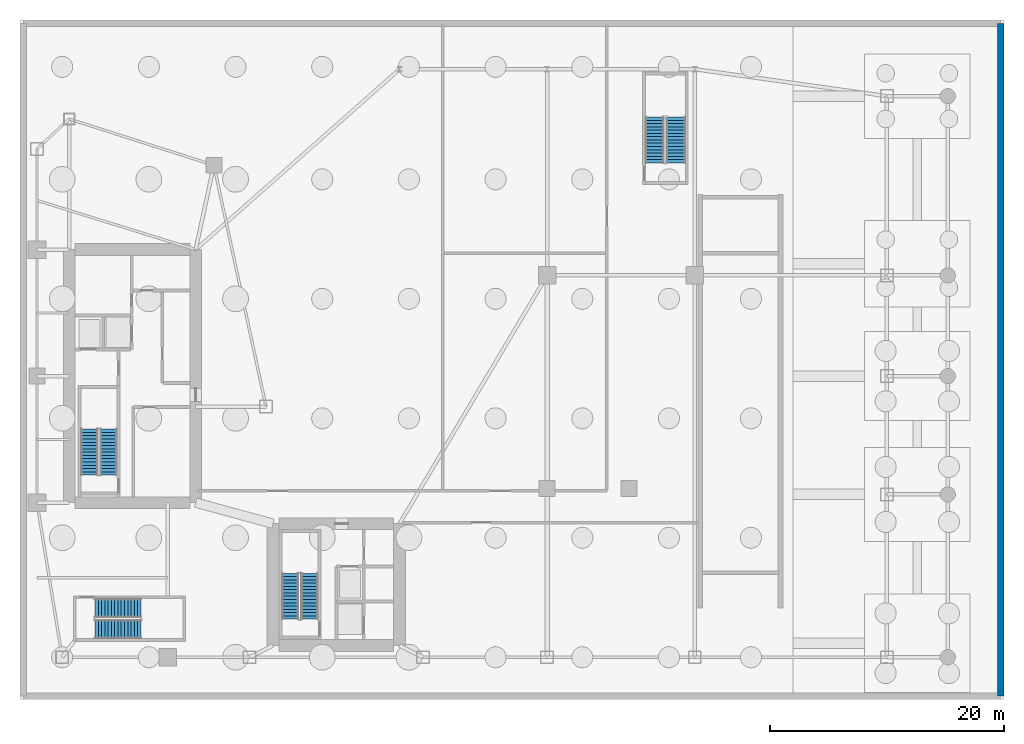
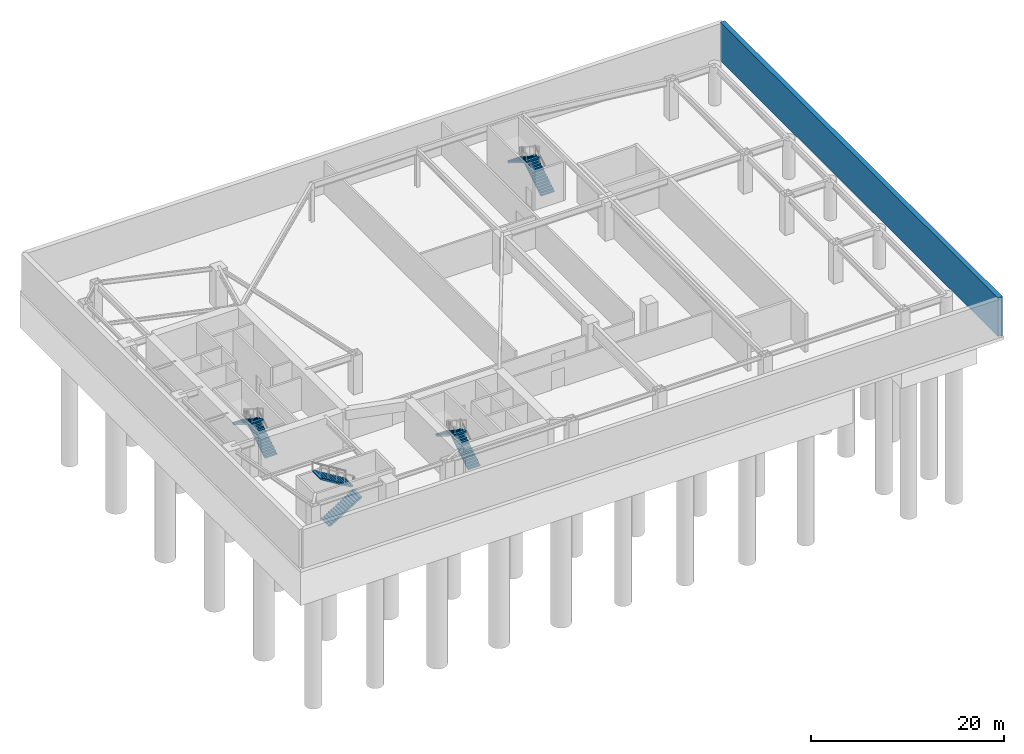
# One storey, part 9 of 12: 8 stair flights, 1 wall, 4 elements without a shape of their own.
"""IFC4 building model written with IfcOpenShell, lengths in metres."""

from ifc_helpers import new_model, si_unit, direction, frame, frame_2d, origin, place, context, subcontext, project, spatial, polyline, rectangle, outline, extrude, material, layer, layer_set, type_object, element, aggregate, save


model = new_model("IFC4")

# Units and contexts
model_context = context("Model", 3, precision=1e-05, world=origin(), true_north=direction((0.0, 1.0)))
body_context = subcontext(model_context, "Body", "Model", "MODEL_VIEW")
ifc_project = project(units=[si_unit("LENGTHUNIT", "METRE"), si_unit("AREAUNIT", "SQUARE_METRE"), si_unit("VOLUMEUNIT", "CUBIC_METRE"), si_unit("PLANEANGLEUNIT", "RADIAN"), si_unit("MASSUNIT", "GRAM", prefix="KILO")], contexts=[model_context])

# Site, building, storey
site_placement = place(None, origin())
site = spatial("IfcSite", under=ifc_project, at=site_placement, CompositionType="ELEMENT")
building_placement = place(site_placement, origin())
building = spatial("IfcBuilding", under=site, at=building_placement, Name="Calvorn Quay Hotel", CompositionType="ELEMENT")
storey_placement = place(building_placement, frame((0.0, 0.0, -10.39990234375)))
storey = spatial("IfcBuildingStorey", under=building, at=storey_placement, Name="B2", CompositionType="ELEMENT", Elevation=-10.39990234375)

# Wall
ifc_material_1 = material(Name="Concrete C45", Category="concrete")
ifc_layer = layer(ifc_material_1, 0.550048828125)
ifc_layer_set = layer_set([ifc_layer], Name="WL-BSM-RET-550")
wall_type = type_object("IfcWallType", Name="WL-BSM-RET-550", PredefinedType="USERDEFINED", material=ifc_layer_set)
wall_placement = place(storey_placement, frame((83.719970703125, 0.280029296875, 0.0), z_axis=(0.0, 0.0, 1.0), x_axis=(0.0, 1.0, 0.0)))
element("IfcWall", 1, at=wall_placement, inside=storey, type_object=wall_type, Name="B2 Retaining Wall E", ObjectType="RETAINING", PredefinedType="USERDEFINED", context=body_context, shape_type="SweptSolid", body=[
    extrude(rectangle(XDim=57.43994140625, YDim=0.550048828125, at=frame_2d((28.719970703125, 0.0))), origin(), (0.0, 0.0, 1.0), 4.8798828125),
])

# Stair, stair flights
ifc_material_2 = material(Name="Concrete C40", Category="concrete")
stair_type_1 = type_object("IfcStairType", Name="STR-CORE-DOGLEG", PredefinedType="HALF_TURN_STAIR", material=ifc_material_2)
stair_1_placement = place(storey_placement, origin())
stair_1 = element("IfcStair", 2, at=stair_1_placement, inside=storey, type_object=stair_type_1, Name="B2 ST-W", PredefinedType="HALF_TURN_STAIR")
ifc_material_3 = material(Name="Concrete C40", Category="concrete")
stair_flight_type_1 = type_object("IfcStairFlightType", Name="FLT-CORE-1550", PredefinedType="STRAIGHT", material=ifc_material_3)
stair_flight_1_placement = place(storey_placement, frame((7.574951171875, 19.14990234375, 0.0), z_axis=(0.0, 0.0, 1.0), x_axis=(0.0, 1.0, 0.0)))
stair_flight_1 = element("IfcStairFlight", 3, at=stair_flight_1_placement, type_object=stair_flight_type_1, Name="ST-W flight 1", NumberOfRisers=15, NumberOfTreads=14, PredefinedType="STRAIGHT", RiserHeight=0.173333333, TreadLength=0.28, context=body_context, shape_type="SweptSolid", body=[
    extrude(outline(polyline([(0.0, 0.0), (0.0, 0.17333984375), (0.280029296875, 0.17333984375), (0.280029296875, 0.3466796875), (0.56005859375, 0.3466796875), (0.56005859375, 0.52001953125), (0.840087890625, 0.52001953125), (0.840087890625, 0.693359375), (1.1201171875, 0.693359375), (1.1201171875, 0.86669921875), (1.39990234375, 0.86669921875), (1.39990234375, 1.0400390625), (1.679931640625, 1.0400390625), (1.679931640625, 1.21337890625), (1.9599609375, 1.21337890625), (1.9599609375, 1.38671875), (2.239990234375, 1.38671875), (2.239990234375, 1.56005859375), (2.52001953125, 1.56005859375), (2.52001953125, 1.7333984375), (2.800048828125, 1.7333984375), (2.800048828125, 1.90673828125), (3.080078125, 1.90673828125), (3.080078125, 2.080078125), (3.360107421875, 2.080078125), (3.360107421875, 2.25341796875), (3.639892578125, 2.25341796875), (3.639892578125, 2.4267578125), (3.919921875, 2.4267578125), (3.919921875, 2.60009765625), (3.919921875, 2.250244140625), (0.284912109375, 0.0), (0.0, 0.0)])), frame((0.0, 0.72509765625, 0.0), z_axis=(0.0, -1.0, 0.0), x_axis=(1.0, 0.0, 0.0)), (0.0, 0.0, 1.0), 1.449951171875),
])
stair_flight_2_placement = place(storey_placement, frame((5.925048828125, 23.070068359375, 2.599853515625), z_axis=(0.0, 0.0, 1.0), x_axis=(0.0, -1.0, 0.0)))
stair_flight_2 = element("IfcStairFlight", 4, at=stair_flight_2_placement, type_object=stair_flight_type_1, Name="ST-W flight 2", NumberOfRisers=15, NumberOfTreads=14, PredefinedType="STRAIGHT", RiserHeight=0.173333333, TreadLength=0.28, context=body_context, shape_type="SweptSolid", body=[
    extrude(outline(polyline([(0.0, 0.0), (0.0, 0.17333984375), (0.280029296875, 0.17333984375), (0.280029296875, 0.3466796875), (0.56005859375, 0.3466796875), (0.56005859375, 0.52001953125), (0.840087890625, 0.52001953125), (0.840087890625, 0.693359375), (1.1201171875, 0.693359375), (1.1201171875, 0.86669921875), (1.39990234375, 0.86669921875), (1.39990234375, 1.0400390625), (1.679931640625, 1.0400390625), (1.679931640625, 1.21337890625), (1.9599609375, 1.21337890625), (1.9599609375, 1.38671875), (2.239990234375, 1.38671875), (2.239990234375, 1.56005859375), (2.52001953125, 1.56005859375), (2.52001953125, 1.7333984375), (2.800048828125, 1.7333984375), (2.800048828125, 1.90673828125), (3.080078125, 1.90673828125), (3.080078125, 2.080078125), (3.360107421875, 2.080078125), (3.360107421875, 2.25341796875), (3.639892578125, 2.25341796875), (3.639892578125, 2.4267578125), (3.919921875, 2.4267578125), (3.919921875, 2.60009765625), (3.919921875, 2.250244140625), (0.284912109375, 0.0), (0.0, 0.0)])), frame((0.0, 0.72509765625, 0.0), z_axis=(0.0, -1.0, 0.0), x_axis=(1.0, 0.0, 0.0)), (0.0, 0.0, 1.0), 1.449951171875),
])
aggregate(stair_1, [stair_flight_1, stair_flight_2])

stair_2_placement = place(storey_placement, origin())
stair_2 = element("IfcStair", 5, at=stair_2_placement, inside=storey, type_object=stair_type_1, Name="B2 ST-E", PredefinedType="HALF_TURN_STAIR")
stair_flight_3_placement = place(storey_placement, frame((24.72509765625, 6.85009765625, 0.0), z_axis=(0.0, 0.0, 1.0), x_axis=(0.0, 1.0, 0.0)))
stair_flight_3 = element("IfcStairFlight", 6, at=stair_flight_3_placement, type_object=stair_flight_type_1, Name="ST-E flight 1", NumberOfRisers=15, NumberOfTreads=14, PredefinedType="STRAIGHT", RiserHeight=0.173333333, TreadLength=0.28, context=body_context, shape_type="SweptSolid", body=[
    extrude(outline(polyline([(0.0, 0.0), (0.0, 0.17333984375), (0.280029296875, 0.17333984375), (0.280029296875, 0.3466796875), (0.56005859375, 0.3466796875), (0.56005859375, 0.52001953125), (0.840087890625, 0.52001953125), (0.840087890625, 0.693359375), (1.1201171875, 0.693359375), (1.1201171875, 0.86669921875), (1.39990234375, 0.86669921875), (1.39990234375, 1.0400390625), (1.679931640625, 1.0400390625), (1.679931640625, 1.21337890625), (1.9599609375, 1.21337890625), (1.9599609375, 1.38671875), (2.239990234375, 1.38671875), (2.239990234375, 1.56005859375), (2.52001953125, 1.56005859375), (2.52001953125, 1.7333984375), (2.800048828125, 1.7333984375), (2.800048828125, 1.90673828125), (3.080078125, 1.90673828125), (3.080078125, 2.080078125), (3.360107421875, 2.080078125), (3.360107421875, 2.25341796875), (3.639892578125, 2.25341796875), (3.639892578125, 2.4267578125), (3.919921875, 2.4267578125), (3.919921875, 2.60009765625), (3.919921875, 2.250244140625), (0.284912109375, 0.0), (0.0, 0.0)])), frame((0.0, 0.72509765625, 0.0), z_axis=(0.0, -1.0, 0.0), x_axis=(1.0, 0.0, 0.0)), (0.0, 0.0, 1.0), 1.449951171875),
])
stair_flight_4_placement = place(storey_placement, frame((23.074951171875, 10.77001953125, 2.599853515625), z_axis=(0.0, 0.0, 1.0), x_axis=(0.0, -1.0, 0.0)))
stair_flight_4 = element("IfcStairFlight", 7, at=stair_flight_4_placement, type_object=stair_flight_type_1, Name="ST-E flight 2", NumberOfRisers=15, NumberOfTreads=14, PredefinedType="STRAIGHT", RiserHeight=0.173333333, TreadLength=0.28, context=body_context, shape_type="SweptSolid", body=[
    extrude(outline(polyline([(0.0, 0.0), (0.0, 0.17333984375), (0.280029296875, 0.17333984375), (0.280029296875, 0.3466796875), (0.56005859375, 0.3466796875), (0.56005859375, 0.52001953125), (0.840087890625, 0.52001953125), (0.840087890625, 0.693359375), (1.1201171875, 0.693359375), (1.1201171875, 0.86669921875), (1.39990234375, 0.86669921875), (1.39990234375, 1.0400390625), (1.679931640625, 1.0400390625), (1.679931640625, 1.21337890625), (1.9599609375, 1.21337890625), (1.9599609375, 1.38671875), (2.239990234375, 1.38671875), (2.239990234375, 1.56005859375), (2.52001953125, 1.56005859375), (2.52001953125, 1.7333984375), (2.800048828125, 1.7333984375), (2.800048828125, 1.90673828125), (3.080078125, 1.90673828125), (3.080078125, 2.080078125), (3.360107421875, 2.080078125), (3.360107421875, 2.25341796875), (3.639892578125, 2.25341796875), (3.639892578125, 2.4267578125), (3.919921875, 2.4267578125), (3.919921875, 2.60009765625), (3.919921875, 2.250244140625), (0.284912109375, 0.0), (0.0, 0.0)])), frame((0.0, 0.72509765625, 0.0), z_axis=(0.0, -1.0, 0.0), x_axis=(1.0, 0.0, 0.0)), (0.0, 0.0, 1.0), 1.449951171875),
])
aggregate(stair_2, [stair_flight_3, stair_flight_4])

ifc_material_4 = material(Name="Concrete C40", Category="concrete")
stair_type_2 = type_object("IfcStairType", Name="STR-POD-DOGLEG", PredefinedType="TWO_QUARTER_TURN_STAIR", material=ifc_material_4)
stair_3_placement = place(storey_placement, origin())
stair_3 = element("IfcStair", 8, at=stair_3_placement, inside=storey, type_object=stair_type_2, Name="B2 ST-P1", PredefinedType="TWO_QUARTER_TURN_STAIR")
ifc_material_5 = material(Name="Concrete C40", Category="concrete")
stair_flight_type_2 = type_object("IfcStairFlightType", Name="FLT-POD-1750", PredefinedType="STRAIGHT", material=ifc_material_5)
stair_flight_5_placement = place(storey_placement, frame((56.0, 45.800048828125, 0.0), z_axis=(0.0, 0.0, 1.0), x_axis=(0.0, 1.0, 0.0)))
stair_flight_5 = element("IfcStairFlight", 9, at=stair_flight_5_placement, type_object=stair_flight_type_2, Name="ST-P1 flight 1", NumberOfRisers=15, NumberOfTreads=14, PredefinedType="STRAIGHT", RiserHeight=0.173333333, TreadLength=0.28, context=body_context, shape_type="SweptSolid", body=[
    extrude(outline(polyline([(0.0, 0.0), (0.0, 0.17333984375), (0.280029296875, 0.17333984375), (0.280029296875, 0.3466796875), (0.56005859375, 0.3466796875), (0.56005859375, 0.52001953125), (0.840087890625, 0.52001953125), (0.840087890625, 0.693359375), (1.1201171875, 0.693359375), (1.1201171875, 0.86669921875), (1.39990234375, 0.86669921875), (1.39990234375, 1.0400390625), (1.679931640625, 1.0400390625), (1.679931640625, 1.21337890625), (1.9599609375, 1.21337890625), (1.9599609375, 1.38671875), (2.239990234375, 1.38671875), (2.239990234375, 1.56005859375), (2.52001953125, 1.56005859375), (2.52001953125, 1.7333984375), (2.800048828125, 1.7333984375), (2.800048828125, 1.90673828125), (3.080078125, 1.90673828125), (3.080078125, 2.080078125), (3.360107421875, 2.080078125), (3.360107421875, 2.25341796875), (3.639892578125, 2.25341796875), (3.639892578125, 2.4267578125), (3.919921875, 2.4267578125), (3.919921875, 2.60009765625), (3.919921875, 2.250244140625), (0.284912109375, 0.0), (0.0, 0.0)])), frame((0.0, 0.800048828125, 0.0), z_axis=(0.0, -1.0, 0.0), x_axis=(1.0, 0.0, 0.0)), (0.0, 0.0, 1.0), 1.60009765625),
])
stair_flight_6_placement = place(storey_placement, frame((54.199951171875, 49.719970703125, 2.599853515625), z_axis=(0.0, 0.0, 1.0), x_axis=(0.0, -1.0, 0.0)))
stair_flight_6 = element("IfcStairFlight", 10, at=stair_flight_6_placement, type_object=stair_flight_type_2, Name="ST-P1 flight 2", NumberOfRisers=15, NumberOfTreads=14, PredefinedType="STRAIGHT", RiserHeight=0.173333333, TreadLength=0.28, context=body_context, shape_type="SweptSolid", body=[
    extrude(outline(polyline([(0.0, 0.0), (0.0, 0.17333984375), (0.280029296875, 0.17333984375), (0.280029296875, 0.3466796875), (0.56005859375, 0.3466796875), (0.56005859375, 0.52001953125), (0.840087890625, 0.52001953125), (0.840087890625, 0.693359375), (1.1201171875, 0.693359375), (1.1201171875, 0.86669921875), (1.39990234375, 0.86669921875), (1.39990234375, 1.0400390625), (1.679931640625, 1.0400390625), (1.679931640625, 1.21337890625), (1.9599609375, 1.21337890625), (1.9599609375, 1.38671875), (2.239990234375, 1.38671875), (2.239990234375, 1.56005859375), (2.52001953125, 1.56005859375), (2.52001953125, 1.7333984375), (2.800048828125, 1.7333984375), (2.800048828125, 1.90673828125), (3.080078125, 1.90673828125), (3.080078125, 2.080078125), (3.360107421875, 2.080078125), (3.360107421875, 2.25341796875), (3.639892578125, 2.25341796875), (3.639892578125, 2.4267578125), (3.919921875, 2.4267578125), (3.919921875, 2.60009765625), (3.919921875, 2.250244140625), (0.284912109375, 0.0), (0.0, 0.0)])), frame((0.0, 0.800048828125, 0.0), z_axis=(0.0, -1.0, 0.0), x_axis=(1.0, 0.0, 0.0)), (0.0, 0.0, 1.0), 1.60009765625),
])
aggregate(stair_3, [stair_flight_5, stair_flight_6])

stair_4_placement = place(storey_placement, origin())
stair_4 = element("IfcStair", 11, at=stair_4_placement, inside=storey, type_object=stair_type_2, Name="B2 ST-P2", PredefinedType="TWO_QUARTER_TURN_STAIR")
stair_flight_7_placement = place(storey_placement, frame((6.39990234375, 6.0, 0.0), z_axis=(0.0, 0.0, 1.0), x_axis=(1.0, 0.0, 0.0)))
stair_flight_7 = element("IfcStairFlight", 12, at=stair_flight_7_placement, type_object=stair_flight_type_2, Name="ST-P2 flight 1", NumberOfRisers=15, NumberOfTreads=14, PredefinedType="STRAIGHT", RiserHeight=0.173333333, TreadLength=0.28, context=body_context, shape_type="SweptSolid", body=[
    extrude(outline(polyline([(0.0, 0.0), (0.0, 0.17333984375), (0.280029296875, 0.17333984375), (0.280029296875, 0.3466796875), (0.56005859375, 0.3466796875), (0.56005859375, 0.52001953125), (0.840087890625, 0.52001953125), (0.840087890625, 0.693359375), (1.1201171875, 0.693359375), (1.1201171875, 0.86669921875), (1.39990234375, 0.86669921875), (1.39990234375, 1.0400390625), (1.679931640625, 1.0400390625), (1.679931640625, 1.21337890625), (1.9599609375, 1.21337890625), (1.9599609375, 1.38671875), (2.239990234375, 1.38671875), (2.239990234375, 1.56005859375), (2.52001953125, 1.56005859375), (2.52001953125, 1.7333984375), (2.800048828125, 1.7333984375), (2.800048828125, 1.90673828125), (3.080078125, 1.90673828125), (3.080078125, 2.080078125), (3.360107421875, 2.080078125), (3.360107421875, 2.25341796875), (3.639892578125, 2.25341796875), (3.639892578125, 2.4267578125), (3.919921875, 2.4267578125), (3.919921875, 2.60009765625), (3.919921875, 2.250244140625), (0.284912109375, 0.0), (0.0, 0.0)])), frame((0.0, 0.800048828125, 0.0), z_axis=(0.0, -1.0, 0.0), x_axis=(1.0, 0.0, 0.0)), (0.0, 0.0, 1.0), 1.60009765625),
])
stair_flight_8_placement = place(storey_placement, frame((10.320068359375, 7.800048828125, 2.599853515625), z_axis=(0.0, 0.0, 1.0), x_axis=(-1.0, 0.0, 0.0)))
stair_flight_8 = element("IfcStairFlight", 13, at=stair_flight_8_placement, type_object=stair_flight_type_2, Name="ST-P2 flight 2", NumberOfRisers=15, NumberOfTreads=14, PredefinedType="STRAIGHT", RiserHeight=0.173333333, TreadLength=0.28, context=body_context, shape_type="SweptSolid", body=[
    extrude(outline(polyline([(0.0, 0.0), (0.0, 0.17333984375), (0.280029296875, 0.17333984375), (0.280029296875, 0.3466796875), (0.56005859375, 0.3466796875), (0.56005859375, 0.52001953125), (0.840087890625, 0.52001953125), (0.840087890625, 0.693359375), (1.1201171875, 0.693359375), (1.1201171875, 0.86669921875), (1.39990234375, 0.86669921875), (1.39990234375, 1.0400390625), (1.679931640625, 1.0400390625), (1.679931640625, 1.21337890625), (1.9599609375, 1.21337890625), (1.9599609375, 1.38671875), (2.239990234375, 1.38671875), (2.239990234375, 1.56005859375), (2.52001953125, 1.56005859375), (2.52001953125, 1.7333984375), (2.800048828125, 1.7333984375), (2.800048828125, 1.90673828125), (3.080078125, 1.90673828125), (3.080078125, 2.080078125), (3.360107421875, 2.080078125), (3.360107421875, 2.25341796875), (3.639892578125, 2.25341796875), (3.639892578125, 2.4267578125), (3.919921875, 2.4267578125), (3.919921875, 2.60009765625), (3.919921875, 2.250244140625), (0.284912109375, 0.0), (0.0, 0.0)])), frame((0.0, 0.800048828125, 0.0), z_axis=(0.0, -1.0, 0.0), x_axis=(1.0, 0.0, 0.0)), (0.0, 0.0, 1.0), 1.60009765625),
])
aggregate(stair_4, [stair_flight_7, stair_flight_8])

save(model, "model.ifc")
